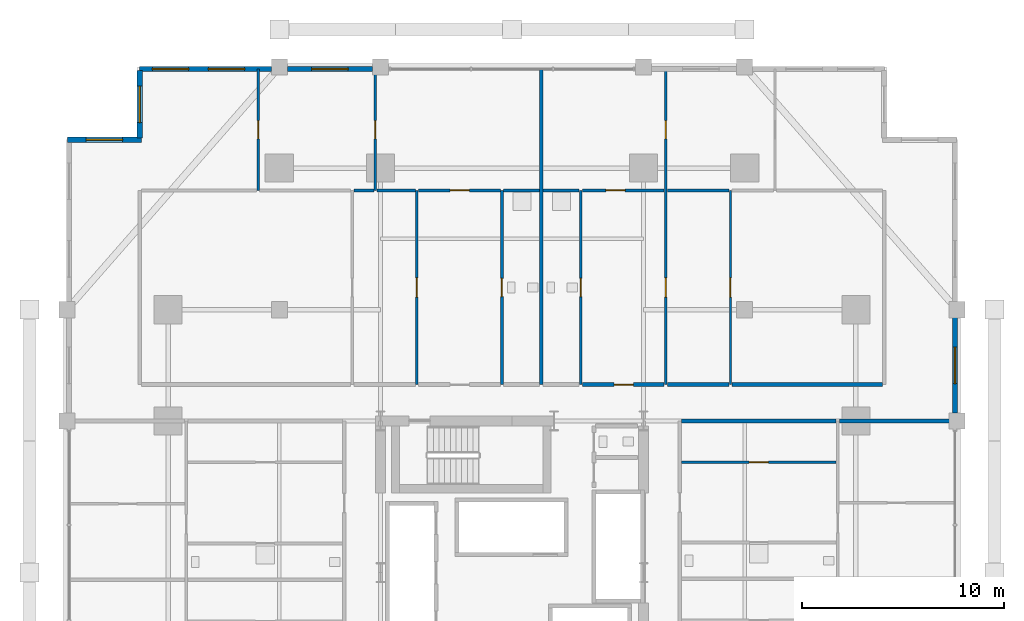
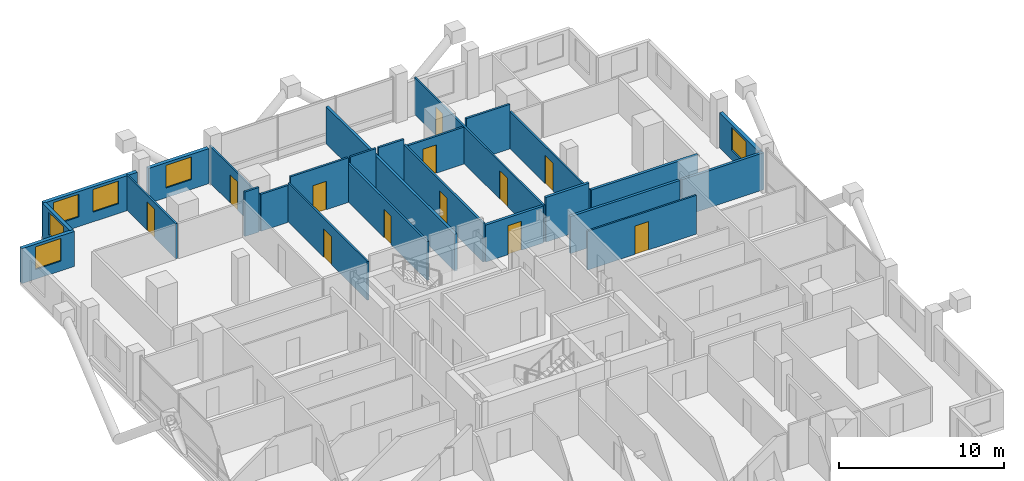
# One storey, part 21 of 24: 26 walls, 12 doors, 6 windows, 18 openings.
"""IFC4 building model written with IfcOpenShell, lengths in metres."""

from ifc_helpers import new_model, si_unit, direction, frame, frame_2d, origin, place, context, subcontext, project, spatial, rectangle, extrude, material, layer, layer_set, type_object, element, fill, save


model = new_model("IFC4")

# Units and contexts
model_context = context("Model", 3, precision=1e-05, world=origin(), true_north=direction((0.0, 1.0)))
body_context = subcontext(model_context, "Body", "Model", "MODEL_VIEW")
ifc_project = project(units=[si_unit("LENGTHUNIT", "METRE"), si_unit("AREAUNIT", "SQUARE_METRE"), si_unit("VOLUMEUNIT", "CUBIC_METRE"), si_unit("PLANEANGLEUNIT", "RADIAN"), si_unit("MASSUNIT", "GRAM", prefix="KILO")], contexts=[model_context])

# Site, building, storey
site_placement = place(None, origin())
site = spatial("IfcSite", under=ifc_project, at=site_placement, CompositionType="ELEMENT")
building_placement = place(site_placement, origin())
building = spatial("IfcBuilding", under=site, at=building_placement, Name="Barlavira Tower and Art Museum", CompositionType="ELEMENT")
storey_placement = place(building_placement, frame((0.0, 0.0, 90.0)))
storey = spatial("IfcBuildingStorey", under=building, at=storey_placement, Name="L22", CompositionType="ELEMENT", Elevation=90.0)

# Wall, opening, door
ifc_material_1 = material(Name="Gypsum acoustic stud partition", Category="gypsum")
ifc_layer_1 = layer(ifc_material_1, 0.1201171875, Name="Gypsum acoustic stud partition")
ifc_layer_set_1 = layer_set([ifc_layer_1], Name="Gypsum acoustic stud partition")
wall_type_1 = type_object("IfcWallType", Name="Apartment Internal Acoustic Partition 120", PredefinedType="PARTITIONING", material=ifc_layer_set_1)
wall_1_placement = place(storey_placement, frame((-12.550048828125, 18.89990234375, 0.0), z_axis=(0.0, 0.0, 1.0), x_axis=(0.0, 1.0, 0.0)))
wall_1 = element("IfcWall", 1, at=wall_1_placement, inside=storey, type_object=wall_type_1, Name="L22 Partition Wall 7", PredefinedType="PARTITIONING", context=body_context, shape_type="SweptSolid", body=[
    extrude(rectangle(XDim=6.0, YDim=0.1201171875, at=frame_2d((3.0, 0.0))), origin(), (0.0, 0.0, 1.0), 2.590087890625),
])
opening_1_placement = place(wall_1_placement, frame((2.550048828125, 0.0, 0.0)))
opening_1 = element("IfcOpeningElement", 2, at=opening_1_placement, cuts=wall_1, Name="Opening D-01", PredefinedType="OPENING", context=body_context, shape_type="SweptSolid", body=[
    extrude(rectangle(XDim=0.89990234375, YDim=2.10009765625, at=frame_2d((0.449951171875, 1.050048828125))), frame((0.0, 0.070068359375, 0.0), z_axis=(0.0, -1.0, 0.0), x_axis=(1.0, 0.0, 0.0)), (0.0, 0.0, 1.0), 0.14013671875),
])
ifc_material_2 = material(Name="Engineered coastal hardwood", Category="wood")
door_type_1 = type_object("IfcDoorType", Name="Internal Bedroom Timber Flush Door 900x2100", OperationType="NOTDEFINED", PredefinedType="DOOR", material=ifc_material_2)
door_1_placement = place(opening_1_placement, origin())
door_1 = element("IfcDoor", 3, at=door_1_placement, inside=storey, type_object=door_type_1, Name="Apartment N1 Bedroom 2 Door", OperationType="SINGLE_SWING_RIGHT", OverallHeight=2.10009765625, OverallWidth=0.89990234375, PredefinedType="DOOR", context=body_context, shape_type="SweptSolid", body=[
    extrude(rectangle(XDim=0.89990234375, YDim=2.10009765625, at=frame_2d((0.449951171875, 1.050048828125))), frame((0.0, 0.02490234375, 0.0), z_axis=(0.0, -1.0, 0.0), x_axis=(1.0, 0.0, 0.0)), (0.0, 0.0, 1.0), 0.050048828125),
])
fill(opening_1, door_1)

wall_2_placement = place(storey_placement, frame((-6.75, 18.89990234375, 0.0), z_axis=(0.0, 0.0, 1.0), x_axis=(0.0, 1.0, 0.0)))
wall_2 = element("IfcWall", 4, at=wall_2_placement, inside=storey, type_object=wall_type_1, Name="L22 Partition Wall 12", PredefinedType="PARTITIONING", context=body_context, shape_type="SweptSolid", body=[
    extrude(rectangle(XDim=6.0, YDim=0.1201171875, at=frame_2d((3.0, 0.0))), origin(), (0.0, 0.0, 1.0), 2.736083984375),
])
opening_2_placement = place(wall_2_placement, frame((2.550048828125, 0.0, 0.0)))
opening_2 = element("IfcOpeningElement", 5, at=opening_2_placement, cuts=wall_2, Name="Opening D-01", PredefinedType="OPENING", context=body_context, shape_type="SweptSolid", body=[
    extrude(rectangle(XDim=0.89990234375, YDim=2.10009765625, at=frame_2d((0.449951171875, 1.050048828125))), frame((0.0, 0.070068359375, 0.0), z_axis=(0.0, -1.0, 0.0), x_axis=(1.0, 0.0, 0.0)), (0.0, 0.0, 1.0), 0.14013671875),
])
door_2_placement = place(opening_2_placement, origin())
door_2 = element("IfcDoor", 6, at=door_2_placement, inside=storey, type_object=door_type_1, Name="Apartment N1 Bedroom 1 Door", OperationType="SINGLE_SWING_LEFT", OverallHeight=2.10009765625, OverallWidth=0.89990234375, PredefinedType="DOOR", context=body_context, shape_type="SweptSolid", body=[
    extrude(rectangle(XDim=0.89990234375, YDim=2.10009765625, at=frame_2d((0.449951171875, 1.050048828125))), frame((0.0, 0.02490234375, 0.0), z_axis=(0.0, -1.0, 0.0), x_axis=(1.0, 0.0, 0.0)), (0.0, 0.0, 1.0), 0.050048828125),
])
fill(opening_2, door_2)

wall_3_placement = place(storey_placement, frame((-4.699951171875, 9.300048828125, 0.0), z_axis=(0.0, 0.0, 1.0), x_axis=(0.0, 1.0, 0.0)))
wall_3 = element("IfcWall", 7, at=wall_3_placement, inside=storey, type_object=wall_type_1, Name="L22 Partition Wall 13", PredefinedType="PARTITIONING", context=body_context, shape_type="SweptSolid", body=[
    extrude(rectangle(XDim=9.599853515625, YDim=0.1201171875, at=frame_2d((4.7998046875, 0.0))), origin(), (0.0, 0.0, 1.0), 2.867919921875),
])
opening_3_placement = place(wall_3_placement, frame((4.324951171875, 0.0, 0.0)))
opening_3 = element("IfcOpeningElement", 8, at=opening_3_placement, cuts=wall_3, Name="Opening D-02", PredefinedType="OPENING", context=body_context, shape_type="SweptSolid", body=[
    extrude(rectangle(XDim=0.949951171875, YDim=2.10009765625, at=frame_2d((0.47509765625, 1.050048828125))), frame((0.0, 0.070068359375, 0.0), z_axis=(0.0, -1.0, 0.0), x_axis=(1.0, 0.0, 0.0)), (0.0, 0.0, 1.0), 0.14013671875),
])
door_type_2 = type_object("IfcDoorType", Name="Living and Salon Glazed-Leaf Door 950x2100", OperationType="NOTDEFINED", PredefinedType="DOOR", material=ifc_material_2)
door_3_placement = place(opening_3_placement, origin())
door_3 = element("IfcDoor", 9, at=door_3_placement, inside=storey, type_object=door_type_2, Name="Apartment N1 Kitchen Door", OperationType="SINGLE_SWING_RIGHT", OverallHeight=2.10009765625, OverallWidth=0.949951171875, PredefinedType="DOOR", context=body_context, shape_type="SweptSolid", body=[
    extrude(rectangle(XDim=0.949951171875, YDim=2.10009765625, at=frame_2d((0.47509765625, 1.050048828125))), frame((0.0, 0.02490234375, 0.0), z_axis=(0.0, -1.0, 0.0), x_axis=(1.0, 0.0, 0.0)), (0.0, 0.0, 1.0), 0.050048828125),
])
fill(opening_3, door_3)

# Wall, openings, doors
wall_4_placement = place(storey_placement, frame((7.60009765625, 9.300048828125, 0.0), z_axis=(0.0, 0.0, 1.0), x_axis=(0.0, 1.0, 0.0)))
wall_4 = element("IfcWall", 10, at=wall_4_placement, inside=storey, type_object=wall_type_1, Name="L22 Partition Wall 22", PredefinedType="PARTITIONING", context=body_context, shape_type="SweptSolid", body=[
    extrude(rectangle(XDim=15.599853515625, YDim=0.1201171875, at=frame_2d((7.7998046875, 0.0))), origin(), (0.0, 0.0, 1.0), 2.736083984375),
])
opening_4_placement = place(wall_4_placement, frame((4.324951171875, 0.0, 0.0)))
opening_4 = element("IfcOpeningElement", 11, at=opening_4_placement, cuts=wall_4, Name="Opening D-02", PredefinedType="OPENING", context=body_context, shape_type="SweptSolid", body=[
    extrude(rectangle(XDim=0.949951171875, YDim=2.10009765625, at=frame_2d((0.47509765625, 1.050048828125))), frame((0.0, 0.070068359375, 0.0), z_axis=(0.0, -1.0, 0.0), x_axis=(1.0, 0.0, 0.0)), (0.0, 0.0, 1.0), 0.14013671875),
])
opening_5_placement = place(wall_4_placement, frame((12.14990234375, 0.0, 0.0)))
opening_5 = element("IfcOpeningElement", 12, at=opening_5_placement, cuts=wall_4, Name="Opening D-01", PredefinedType="OPENING", context=body_context, shape_type="SweptSolid", body=[
    extrude(rectangle(XDim=0.89990234375, YDim=2.10009765625, at=frame_2d((0.449951171875, 1.050048828125))), frame((0.0, 0.070068359375, 0.0), z_axis=(0.0, -1.0, 0.0), x_axis=(1.0, 0.0, 0.0)), (0.0, 0.0, 1.0), 0.14013671875),
])
door_4_placement = place(opening_5_placement, origin())
door_4 = element("IfcDoor", 13, at=door_4_placement, inside=storey, type_object=door_type_1, Name="Apartment N2 Bedroom 1 Door", OperationType="SINGLE_SWING_RIGHT", OverallHeight=2.10009765625, OverallWidth=0.89990234375, PredefinedType="DOOR", context=body_context, shape_type="SweptSolid", body=[
    extrude(rectangle(XDim=0.89990234375, YDim=2.10009765625, at=frame_2d((0.449951171875, 1.050048828125))), frame((0.0, 0.02490234375, 0.0), z_axis=(0.0, -1.0, 0.0), x_axis=(1.0, 0.0, 0.0)), (0.0, 0.0, 1.0), 0.050048828125),
])
fill(opening_5, door_4)
door_5_placement = place(opening_4_placement, origin())
door_5 = element("IfcDoor", 14, at=door_5_placement, inside=storey, type_object=door_type_2, Name="Apartment N2 Kitchen Door", OperationType="SINGLE_SWING_LEFT", OverallHeight=2.10009765625, OverallWidth=0.949951171875, PredefinedType="DOOR", context=body_context, shape_type="SweptSolid", body=[
    extrude(rectangle(XDim=0.949951171875, YDim=2.10009765625, at=frame_2d((0.47509765625, 1.050048828125))), frame((0.0, 0.02490234375, 0.0), z_axis=(0.0, -1.0, 0.0), x_axis=(1.0, 0.0, 0.0)), (0.0, 0.0, 1.0), 0.050048828125),
])
fill(opening_4, door_5)

# Wall, opening, door
wall_5_placement = place(storey_placement, frame((10.800048828125, 9.300048828125, 0.0), z_axis=(0.0, 0.0, 1.0), x_axis=(0.0, 1.0, 0.0)))
wall_5 = element("IfcWall", 15, at=wall_5_placement, inside=storey, type_object=wall_type_1, Name="L22 Partition Wall 26", PredefinedType="PARTITIONING", context=body_context, shape_type="SweptSolid", body=[
    extrude(rectangle(XDim=9.599853515625, YDim=0.1201171875, at=frame_2d((4.7998046875, 0.0))), origin(), (0.0, 0.0, 1.0), 2.736083984375),
])
opening_6_placement = place(wall_5_placement, frame((4.324951171875, 0.0, 0.0)))
opening_6 = element("IfcOpeningElement", 16, at=opening_6_placement, cuts=wall_5, Name="Opening D-02", PredefinedType="OPENING", context=body_context, shape_type="SweptSolid", body=[
    extrude(rectangle(XDim=0.949951171875, YDim=2.10009765625, at=frame_2d((0.47509765625, 1.050048828125))), frame((0.0, 0.070068359375, 0.0), z_axis=(0.0, -1.0, 0.0), x_axis=(1.0, 0.0, 0.0)), (0.0, 0.0, 1.0), 0.14013671875),
])
door_6_placement = place(opening_6_placement, origin())
door_6 = element("IfcDoor", 17, at=door_6_placement, inside=storey, type_object=door_type_2, Name="Apartment N2 Dining Salon Door", OperationType="SINGLE_SWING_RIGHT", OverallHeight=2.10009765625, OverallWidth=0.949951171875, PredefinedType="DOOR", context=body_context, shape_type="SweptSolid", body=[
    extrude(rectangle(XDim=0.949951171875, YDim=2.10009765625, at=frame_2d((0.47509765625, 1.050048828125))), frame((0.0, 0.02490234375, 0.0), z_axis=(0.0, -1.0, 0.0), x_axis=(1.0, 0.0, 0.0)), (0.0, 0.0, 1.0), 0.050048828125),
])
fill(opening_6, door_6)

wall_6_placement = place(storey_placement, frame((8.3798828125, 5.449951171875, 0.0), z_axis=(0.0, 0.0, 1.0), x_axis=(1.0, 0.0, 0.0)))
wall_6 = element("IfcWall", 18, at=wall_6_placement, inside=storey, type_object=wall_type_1, Name="L22 Partition Wall 77", PredefinedType="PARTITIONING", context=body_context, shape_type="SweptSolid", body=[
    extrude(rectangle(XDim=7.64013671875, YDim=0.1201171875, at=frame_2d((3.820068359375, 0.0))), origin(), (0.0, 0.0, 1.0), 2.867919921875),
])
opening_7_placement = place(wall_6_placement, frame((3.344970703125, 0.0, 0.0)))
opening_7 = element("IfcOpeningElement", 19, at=opening_7_placement, cuts=wall_6, Name="Opening D-02", PredefinedType="OPENING", context=body_context, shape_type="SweptSolid", body=[
    extrude(rectangle(XDim=0.949951171875, YDim=2.10009765625, at=frame_2d((0.47509765625, 1.050048828125))), frame((0.0, 0.070068359375, 0.0), z_axis=(0.0, -1.0, 0.0), x_axis=(1.0, 0.0, 0.0)), (0.0, 0.0, 1.0), 0.14013671875),
])
door_7_placement = place(opening_7_placement, origin())
door_7 = element("IfcDoor", 20, at=door_7_placement, inside=storey, type_object=door_type_2, Name="Apartment E2 Kitchen Door", OperationType="SINGLE_SWING_LEFT", OverallHeight=2.10009765625, OverallWidth=0.949951171875, PredefinedType="DOOR", context=body_context, shape_type="SweptSolid", body=[
    extrude(rectangle(XDim=0.949951171875, YDim=2.10009765625, at=frame_2d((0.47509765625, 1.050048828125))), frame((0.0, 0.02490234375, 0.0), z_axis=(0.0, -1.0, 0.0), x_axis=(1.0, 0.0, 0.0)), (0.0, 0.0, 1.0), 0.050048828125),
])
fill(opening_7, door_7)

# Walls
ifc_layer_2 = layer(ifc_material_1, 0.179931640625, Name="Gypsum acoustic stud partition")
ifc_layer_set_2 = layer_set([ifc_layer_2], Name="Gypsum acoustic stud partition")
wall_type_2 = type_object("IfcWallType", Name="Inter-Tenancy Party Partition Wall 180", PredefinedType="PARTITIONING", material=ifc_layer_set_2)
wall_7_placement = place(storey_placement, frame((1.449951171875, 9.300048828125, 0.0), z_axis=(0.0, 0.0, 1.0), x_axis=(0.0, 1.0, 0.0)))
element("IfcWall", 21, at=wall_7_placement, inside=storey, type_object=wall_type_2, Name="L22 Partition Wall 18", PredefinedType="PARTITIONING", context=body_context, shape_type="SweptSolid", body=[
    extrude(rectangle(XDim=15.599853515625, YDim=0.179931640625, at=frame_2d((7.7998046875, 0.0))), origin(), (0.0, 0.0, 1.0), 2.736083984375),
])
wall_8_placement = place(storey_placement, frame((8.3798828125, 7.5, 0.0), z_axis=(0.0, 0.0, 1.0), x_axis=(1.0, 0.0, 0.0)))
element("IfcWall", 22, at=wall_8_placement, inside=storey, type_object=wall_type_2, Name="L22 Partition Wall 82", PredefinedType="PARTITIONING", context=body_context, shape_type="SweptSolid", body=[
    extrude(rectangle(XDim=7.64013671875, YDim=0.179931640625, at=frame_2d((3.820068359375, 0.0))), origin(), (0.0, 0.0, 1.0), 2.736083984375),
])
wall_9_placement = place(storey_placement, frame((16.179931640625, 7.5, 0.0), z_axis=(0.0, 0.0, 1.0), x_axis=(1.0, 0.0, 0.0)))
element("IfcWall", 23, at=wall_9_placement, inside=storey, type_object=wall_type_2, Name="L22 Partition Wall 83", PredefinedType="PARTITIONING", context=body_context, shape_type="SweptSolid", body=[
    extrude(rectangle(XDim=5.719970703125, YDim=0.179931640625, at=frame_2d((2.85986328125, 0.0))), origin(), (0.0, 0.0, 1.0), 2.736083984375),
])

# Wall, opening, door
wall_10_placement = place(storey_placement, frame((3.47998046875, 9.300048828125, 0.0), z_axis=(0.0, 0.0, 1.0), x_axis=(1.0, 0.0, 0.0)))
wall_10 = element("IfcWall", 24, at=wall_10_placement, inside=storey, type_object=wall_type_2, Name="L22 Partition Wall 89", PredefinedType="PARTITIONING", context=body_context, shape_type="SweptSolid", body=[
    extrude(rectangle(XDim=4.0400390625, YDim=0.179931640625, at=frame_2d((2.02001953125, 0.0))), origin(), (0.0, 0.0, 1.0), 2.736083984375),
])
opening_8_placement = place(wall_10_placement, frame((1.56494140625, 0.0, 0.0)))
opening_8 = element("IfcOpeningElement", 25, at=opening_8_placement, cuts=wall_10, Name="Opening FD-60", PredefinedType="OPENING", context=body_context, shape_type="SweptSolid", body=[
    extrude(rectangle(XDim=0.949951171875, YDim=2.14990234375, at=frame_2d((0.47509765625, 1.074951171875))), frame((0.0, 0.10009765625, 0.0), z_axis=(0.0, -1.0, 0.0), x_axis=(1.0, 0.0, 0.0)), (0.0, 0.0, 1.0), 0.199951171875),
])
ifc_material_3 = material(Name="Brushed stainless steel", Category="steel")
door_type_3 = type_object("IfcDoorType", Name="Apartment Entrance and Riser Fire Door 950x2150 FD60S", OperationType="NOTDEFINED", PredefinedType="DOOR", material=ifc_material_3)
door_8_placement = place(opening_8_placement, origin())
door_8 = element("IfcDoor", 26, at=door_8_placement, inside=storey, type_object=door_type_3, Name="Apartment Entrance Hall N2 Door", OperationType="SINGLE_SWING_RIGHT", OverallHeight=2.14990234375, OverallWidth=0.949951171875, PredefinedType="DOOR", context=body_context, shape_type="SweptSolid", body=[
    extrude(rectangle(XDim=0.949951171875, YDim=2.14990234375, at=frame_2d((0.47509765625, 1.074951171875))), frame((0.0, 0.02490234375, 0.0), z_axis=(0.0, -1.0, 0.0), x_axis=(1.0, 0.0, 0.0)), (0.0, 0.0, 1.0), 0.050048828125),
])
fill(opening_8, door_8)

# Walls
wall_11_placement = place(storey_placement, frame((7.679931640625, 9.300048828125, 0.0), z_axis=(0.0, 0.0, 1.0), x_axis=(1.0, 0.0, 0.0)))
element("IfcWall", 27, at=wall_11_placement, inside=storey, type_object=wall_type_2, Name="L22 Partition Wall 90", PredefinedType="PARTITIONING", context=body_context, shape_type="SweptSolid", body=[
    extrude(rectangle(XDim=3.0400390625, YDim=0.179931640625, at=frame_2d((1.52001953125, 0.0))), origin(), (0.0, 0.0, 1.0), 3.300048828125),
])
wall_12_placement = place(storey_placement, frame((10.8798828125, 9.300048828125, 0.0), z_axis=(0.0, 0.0, 1.0), x_axis=(1.0, 0.0, 0.0)))
element("IfcWall", 28, at=wall_12_placement, inside=storey, type_object=wall_type_2, Name="L22 Partition Wall 91", PredefinedType="PARTITIONING", context=body_context, shape_type="SweptSolid", body=[
    extrude(rectangle(XDim=7.440185546875, YDim=0.179931640625, at=frame_2d((3.72021484375, 0.0))), origin(), (0.0, 0.0, 1.0), 2.736083984375),
])

# Wall, opening, door
ifc_layer_3 = layer(ifc_material_1, 0.139892578125, Name="Gypsum acoustic stud partition")
ifc_layer_set_3 = layer_set([ifc_layer_3], Name="Gypsum acoustic stud partition")
wall_type_3 = type_object("IfcWallType", Name="Moisture-Resistant Bathroom Partition 140", PredefinedType="PARTITIONING", material=ifc_layer_set_3)
wall_13_placement = place(storey_placement, frame((-0.5, 9.300048828125, 0.0), z_axis=(0.0, 0.0, 1.0), x_axis=(0.0, 1.0, 0.0)))
wall_13 = element("IfcWall", 29, at=wall_13_placement, inside=storey, type_object=wall_type_3, Name="L22 Partition Wall 16", PredefinedType="PARTITIONING", context=body_context, shape_type="SweptSolid", body=[
    extrude(rectangle(XDim=9.599853515625, YDim=0.139892578125, at=frame_2d((4.7998046875, 0.0))), origin(), (0.0, 0.0, 1.0), 2.867919921875),
])
opening_9_placement = place(wall_13_placement, frame((4.35009765625, 0.0, 0.0)))
opening_9 = element("IfcOpeningElement", 30, at=opening_9_placement, cuts=wall_13, Name="Opening D-WC", PredefinedType="OPENING", context=body_context, shape_type="SweptSolid", body=[
    extrude(rectangle(XDim=0.89990234375, YDim=2.10009765625, at=frame_2d((0.449951171875, 1.050048828125))), frame((0.0, 0.080078125, 0.0), z_axis=(0.0, -1.0, 0.0), x_axis=(1.0, 0.0, 0.0)), (0.0, 0.0, 1.0), 0.159912109375),
])
door_type_4 = type_object("IfcDoorType", Name="Accessible Bathroom Flush Door 900x2100", OperationType="NOTDEFINED", PredefinedType="DOOR", material=ifc_material_2)
door_9_placement = place(opening_9_placement, origin())
door_9 = element("IfcDoor", 31, at=door_9_placement, inside=storey, type_object=door_type_4, Name="Apartment N1 Hall Bathroom Door", OperationType="SINGLE_SWING_RIGHT", OverallHeight=2.10009765625, OverallWidth=0.89990234375, PredefinedType="DOOR", context=body_context, shape_type="SweptSolid", body=[
    extrude(rectangle(XDim=0.89990234375, YDim=2.10009765625, at=frame_2d((0.449951171875, 1.050048828125))), frame((0.0, 0.02490234375, 0.0), z_axis=(0.0, -1.0, 0.0), x_axis=(1.0, 0.0, 0.0)), (0.0, 0.0, 1.0), 0.050048828125),
])
fill(opening_9, door_9)

wall_14_placement = place(storey_placement, frame((3.39990234375, 9.300048828125, 0.0), z_axis=(0.0, 0.0, 1.0), x_axis=(0.0, 1.0, 0.0)))
wall_14 = element("IfcWall", 32, at=wall_14_placement, inside=storey, type_object=wall_type_3, Name="L22 Partition Wall 19", PredefinedType="PARTITIONING", context=body_context, shape_type="SweptSolid", body=[
    extrude(rectangle(XDim=9.599853515625, YDim=0.139892578125, at=frame_2d((4.7998046875, 0.0))), origin(), (0.0, 0.0, 1.0), 2.867919921875),
])
opening_10_placement = place(wall_14_placement, frame((4.35009765625, 0.0, 0.0)))
opening_10 = element("IfcOpeningElement", 33, at=opening_10_placement, cuts=wall_14, Name="Opening D-WC", PredefinedType="OPENING", context=body_context, shape_type="SweptSolid", body=[
    extrude(rectangle(XDim=0.89990234375, YDim=2.10009765625, at=frame_2d((0.449951171875, 1.050048828125))), frame((0.0, 0.080078125, 0.0), z_axis=(0.0, -1.0, 0.0), x_axis=(1.0, 0.0, 0.0)), (0.0, 0.0, 1.0), 0.159912109375),
])
door_10_placement = place(opening_10_placement, origin())
door_10 = element("IfcDoor", 34, at=door_10_placement, inside=storey, type_object=door_type_4, Name="Apartment N2 Hall Bathroom Door", OperationType="SINGLE_SWING_LEFT", OverallHeight=2.10009765625, OverallWidth=0.89990234375, PredefinedType="DOOR", context=body_context, shape_type="SweptSolid", body=[
    extrude(rectangle(XDim=0.89990234375, YDim=2.10009765625, at=frame_2d((0.449951171875, 1.050048828125))), frame((0.0, 0.02490234375, 0.0), z_axis=(0.0, -1.0, 0.0), x_axis=(1.0, 0.0, 0.0)), (0.0, 0.0, 1.0), 0.050048828125),
])
fill(opening_10, door_10)

# Walls
wall_15_placement = place(storey_placement, frame((-7.820068359375, 18.89990234375, 0.0), z_axis=(0.0, 0.0, 1.0), x_axis=(1.0, 0.0, 0.0)))
element("IfcWall", 35, at=wall_15_placement, inside=storey, type_object=wall_type_3, Name="L22 Partition Wall 94", PredefinedType="PARTITIONING", context=body_context, shape_type="SweptSolid", body=[
    extrude(rectangle(XDim=0.989990234375, YDim=0.139892578125, at=frame_2d((0.4951171875, 0.0))), origin(), (0.0, 0.0, 1.0), 3.300048828125),
])
wall_16_placement = place(storey_placement, frame((-6.669921875, 18.89990234375, 0.0), z_axis=(0.0, 0.0, 1.0), x_axis=(1.0, 0.0, 0.0)))
element("IfcWall", 36, at=wall_16_placement, inside=storey, type_object=wall_type_3, Name="L22 Partition Wall 95", PredefinedType="PARTITIONING", context=body_context, shape_type="SweptSolid", body=[
    extrude(rectangle(XDim=1.889892578125, YDim=0.139892578125, at=frame_2d((0.94482421875, 0.0))), origin(), (0.0, 0.0, 1.0), 2.736083984375),
])

# Wall, opening, door
wall_17_placement = place(storey_placement, frame((-4.6201171875, 18.89990234375, 0.0), z_axis=(0.0, 0.0, 1.0), x_axis=(1.0, 0.0, 0.0)))
wall_17 = element("IfcWall", 37, at=wall_17_placement, inside=storey, type_object=wall_type_3, Name="L22 Partition Wall 96", PredefinedType="PARTITIONING", context=body_context, shape_type="SweptSolid", body=[
    extrude(rectangle(XDim=4.0400390625, YDim=0.139892578125, at=frame_2d((2.02001953125, 0.0))), origin(), (0.0, 0.0, 1.0), 3.300048828125),
])
opening_11_placement = place(wall_17_placement, frame((1.56494140625, 0.0, 0.0)))
opening_11 = element("IfcOpeningElement", 38, at=opening_11_placement, cuts=wall_17, Name="Opening D-02", PredefinedType="OPENING", context=body_context, shape_type="SweptSolid", body=[
    extrude(rectangle(XDim=0.949951171875, YDim=2.10009765625, at=frame_2d((0.47509765625, 1.050048828125))), frame((0.0, 0.080078125, 0.0), z_axis=(0.0, -1.0, 0.0), x_axis=(1.0, 0.0, 0.0)), (0.0, 0.0, 1.0), 0.159912109375),
])
door_11_placement = place(opening_11_placement, origin())
door_11 = element("IfcDoor", 39, at=door_11_placement, inside=storey, type_object=door_type_2, Name="Apartment N1 Living Lounge Door", OperationType="SINGLE_SWING_RIGHT", OverallHeight=2.10009765625, OverallWidth=0.949951171875, PredefinedType="DOOR", context=body_context, shape_type="SweptSolid", body=[
    extrude(rectangle(XDim=0.949951171875, YDim=2.10009765625, at=frame_2d((0.47509765625, 1.050048828125))), frame((0.0, 0.02490234375, 0.0), z_axis=(0.0, -1.0, 0.0), x_axis=(1.0, 0.0, 0.0)), (0.0, 0.0, 1.0), 0.050048828125),
])
fill(opening_11, door_11)

# Walls
for number, where, z_axis, x_axis, name in (
    (40, (-0.419921875, 18.89990234375, 0.0), (0.0, 0.0, 1.0), (1.0, 0.0, 0.0), "L22 Partition Wall 97"),
    (41, (1.530029296875, 18.89990234375, 0.0), (0.0, 0.0, 1.0), (1.0, 0.0, 0.0), "L22 Partition Wall 98"),
):
    element("IfcWall", number, at=place(storey_placement, frame(where, z_axis=z_axis, x_axis=x_axis)), inside=storey, type_object=wall_type_3, Name=name, PredefinedType="PARTITIONING", context=body_context, shape_type="SweptSolid", body=[
        extrude(rectangle(XDim=1.7900390625, YDim=0.139892578125, at=frame_2d((0.89501953125, 0.0))), origin(), (0.0, 0.0, 1.0), 3.300048828125),
    ])

# Wall, opening, door
wall_18_placement = place(storey_placement, frame((3.47998046875, 18.89990234375, 0.0), z_axis=(0.0, 0.0, 1.0), x_axis=(1.0, 0.0, 0.0)))
wall_18 = element("IfcWall", 42, at=wall_18_placement, inside=storey, type_object=wall_type_3, Name="L22 Partition Wall 99", PredefinedType="PARTITIONING", context=body_context, shape_type="SweptSolid", body=[
    extrude(rectangle(XDim=4.0400390625, YDim=0.139892578125, at=frame_2d((2.02001953125, 0.0))), origin(), (0.0, 0.0, 1.0), 2.736083984375),
])
opening_12_placement = place(wall_18_placement, frame((1.156494140625, 0.0, 0.0)))
opening_12 = element("IfcOpeningElement", 43, at=opening_12_placement, cuts=wall_18, Name="Opening D-02", PredefinedType="OPENING", context=body_context, shape_type="SweptSolid", body=[
    extrude(rectangle(XDim=0.949951171875, YDim=2.10009765625, at=frame_2d((0.47509765625, 1.050048828125))), frame((0.0, 0.080078125, 0.0), z_axis=(0.0, -1.0, 0.0), x_axis=(1.0, 0.0, 0.0)), (0.0, 0.0, 1.0), 0.159912109375),
])
door_12_placement = place(opening_12_placement, origin())
door_12 = element("IfcDoor", 44, at=door_12_placement, inside=storey, type_object=door_type_2, Name="Apartment N2 Living Lounge Door", OperationType="SINGLE_SWING_LEFT", OverallHeight=2.10009765625, OverallWidth=0.949951171875, PredefinedType="DOOR", context=body_context, shape_type="SweptSolid", body=[
    extrude(rectangle(XDim=0.949951171875, YDim=2.10009765625, at=frame_2d((0.47509765625, 1.050048828125))), frame((0.0, 0.02490234375, 0.0), z_axis=(0.0, -1.0, 0.0), x_axis=(1.0, 0.0, 0.0)), (0.0, 0.0, 1.0), 0.050048828125),
])
fill(opening_12, door_12)

# Wall
wall_19_placement = place(storey_placement, frame((7.679931640625, 18.89990234375, 0.0), z_axis=(0.0, 0.0, 1.0), x_axis=(1.0, 0.0, 0.0)))
element("IfcWall", 45, at=wall_19_placement, inside=storey, type_object=wall_type_3, Name="L22 Partition Wall 100", PredefinedType="PARTITIONING", context=body_context, shape_type="SweptSolid", body=[
    extrude(rectangle(XDim=3.0400390625, YDim=0.139892578125, at=frame_2d((1.52001953125, 0.0))), origin(), (0.0, 0.0, 1.0), 3.300048828125),
])

# Wall, opening, window
ifc_material_4 = material(Name="Precast concrete C40", Category="concrete")
ifc_layer_4 = layer(ifc_material_4, 0.25, Name="Precast concrete C40")
ifc_layer_set_4 = layer_set([ifc_layer_4], Name="Precast concrete C40")
wall_type_4 = type_object("IfcWallType", Name="Notched Corner Spandrel Wall 250 Precast Concrete C40", PredefinedType="SOLIDWALL", material=ifc_layer_set_4)
wall_20_placement = place(storey_placement, frame((-6.89501953125, 24.89990234375, 0.0), z_axis=(0.0, 0.0, 1.0), x_axis=(-1.0, 0.0, 0.0)))
wall_20 = element("IfcWall", 46, at=wall_20_placement, inside=storey, type_object=wall_type_4, Name="L22 Coastal Facade Pier Wall CW1-L22-N-4", PredefinedType="SOLIDWALL", context=body_context, shape_type="SweptSolid", body=[
    extrude(rectangle(XDim=4.2099609375, YDim=0.25, at=frame_2d((2.10498046875, 0.0))), origin(), (0.0, 0.0, 1.0), 2.590087890625),
])
opening_13_placement = place(wall_20_placement, frame((1.205078125, 0.0, 0.719970703125)))
opening_13 = element("IfcOpeningElement", 47, at=opening_13_placement, cuts=wall_20, Name="Opening WN-01", PredefinedType="OPENING", context=body_context, shape_type="SweptSolid", body=[
    extrude(rectangle(XDim=1.800048828125, YDim=1.679931640625, at=frame_2d((0.89990234375, 0.83984375))), frame((0.0, 0.135009765625, 0.0), z_axis=(0.0, -1.0, 0.0), x_axis=(1.0, 0.0, 0.0)), (0.0, 0.0, 1.0), 0.27001953125),
])
ifc_material_5 = material(Name="Low-iron coastal laminated glass", Category="glass")
window_type = type_object("IfcWindowType", Name="Recessed Notch Corner Punch Window 1800x1680", PartitioningType="SINGLE_PANEL", PredefinedType="WINDOW", material=ifc_material_5)
window_1_placement = place(opening_13_placement, origin())
window_1 = element("IfcWindow", 48, at=window_1_placement, inside=storey, type_object=window_type, Name="L22 Punched Facade Window EWP-CW1-L22-N-4-1", OverallHeight=1.679931640625, OverallWidth=1.800048828125, PartitioningType="SINGLE_PANEL", PredefinedType="WINDOW", context=body_context, shape_type="SweptSolid", body=[
    extrude(rectangle(XDim=1.800048828125, YDim=1.679931640625, at=frame_2d((0.89990234375, 0.83984375))), frame((0.0, 0.030029296875, 0.0), z_axis=(0.0, -1.0, 0.0), x_axis=(1.0, 0.0, 0.0)), (0.0, 0.0, 1.0), 0.06005859375),
])
fill(opening_13, window_1)

# Wall, openings, windows
wall_21_placement = place(storey_placement, frame((-11.89501953125, 24.89990234375, 0.0), z_axis=(0.0, 0.0, 1.0), x_axis=(-1.0, 0.0, 0.0)))
wall_21 = element("IfcWall", 49, at=wall_21_placement, inside=storey, type_object=wall_type_4, Name="L22 Coastal Facade Pier Wall CW1-L22-N-5", PredefinedType="SOLIDWALL", context=body_context, shape_type="SweptSolid", body=[
    extrude(rectangle(XDim=6.530029296875, YDim=0.25, at=frame_2d((3.26513671875, 0.0))), origin(), (0.0, 0.0, 1.0), 2.590087890625),
])
opening_14_placement = place(wall_21_placement, frame((1.319091796875, 0.0, 0.719970703125)))
opening_14 = element("IfcOpeningElement", 50, at=opening_14_placement, cuts=wall_21, Name="Opening WN-01", PredefinedType="OPENING", context=body_context, shape_type="SweptSolid", body=[
    extrude(rectangle(XDim=1.800048828125, YDim=1.679931640625, at=frame_2d((0.89990234375, 0.83984375))), frame((0.0, 0.135009765625, 0.0), z_axis=(0.0, -1.0, 0.0), x_axis=(1.0, 0.0, 0.0)), (0.0, 0.0, 1.0), 0.27001953125),
])
opening_15_placement = place(wall_21_placement, frame((4.0859375, 0.0, 0.719970703125)))
opening_15 = element("IfcOpeningElement", 51, at=opening_15_placement, cuts=wall_21, Name="Opening WN-01", PredefinedType="OPENING", context=body_context, shape_type="SweptSolid", body=[
    extrude(rectangle(XDim=1.800048828125, YDim=1.679931640625, at=frame_2d((0.89990234375, 0.83984375))), frame((0.0, 0.135009765625, 0.0), z_axis=(0.0, -1.0, 0.0), x_axis=(1.0, 0.0, 0.0)), (0.0, 0.0, 1.0), 0.27001953125),
])
window_2_placement = place(opening_14_placement, origin())
window_2 = element("IfcWindow", 52, at=window_2_placement, inside=storey, type_object=window_type, Name="L22 Punched Facade Window EWP-CW1-L22-N-5-1", OverallHeight=1.679931640625, OverallWidth=1.800048828125, PartitioningType="SINGLE_PANEL", PredefinedType="WINDOW", context=body_context, shape_type="SweptSolid", body=[
    extrude(rectangle(XDim=1.800048828125, YDim=1.679931640625, at=frame_2d((0.89990234375, 0.83984375))), frame((0.0, 0.030029296875, 0.0), z_axis=(0.0, -1.0, 0.0), x_axis=(1.0, 0.0, 0.0)), (0.0, 0.0, 1.0), 0.06005859375),
])
fill(opening_14, window_2)
window_3_placement = place(opening_15_placement, origin())
window_3 = element("IfcWindow", 53, at=window_3_placement, inside=storey, type_object=window_type, Name="L22 Punched Facade Window EWP-CW1-L22-N-5-2", OverallHeight=1.679931640625, OverallWidth=1.800048828125, PartitioningType="SINGLE_PANEL", PredefinedType="WINDOW", context=body_context, shape_type="SweptSolid", body=[
    extrude(rectangle(XDim=1.800048828125, YDim=1.679931640625, at=frame_2d((0.89990234375, 0.83984375))), frame((0.0, 0.030029296875, 0.0), z_axis=(0.0, -1.0, 0.0), x_axis=(1.0, 0.0, 0.0)), (0.0, 0.0, 1.0), 0.06005859375),
])
fill(opening_15, window_3)

# Wall, opening, window
wall_22_placement = place(storey_placement, frame((21.89990234375, 7.89501953125, 0.0), z_axis=(0.0, 0.0, 1.0), x_axis=(0.0, 1.0, 0.0)))
wall_22 = element("IfcWall", 54, at=wall_22_placement, inside=storey, type_object=wall_type_4, Name="L22 Coastal Facade Pier Wall CW1-L22-E-4", PredefinedType="SOLIDWALL", context=body_context, shape_type="SweptSolid", body=[
    extrude(rectangle(XDim=4.7099609375, YDim=0.25, at=frame_2d((2.35498046875, 0.0))), origin(), (0.0, 0.0, 1.0), 2.590087890625),
])
opening_16_placement = place(wall_22_placement, frame((1.455078125, 0.0, 0.719970703125)))
opening_16 = element("IfcOpeningElement", 55, at=opening_16_placement, cuts=wall_22, Name="Opening WN-01", PredefinedType="OPENING", context=body_context, shape_type="SweptSolid", body=[
    extrude(rectangle(XDim=1.800048828125, YDim=1.679931640625, at=frame_2d((0.89990234375, 0.83984375))), frame((0.0, 0.135009765625, 0.0), z_axis=(0.0, -1.0, 0.0), x_axis=(1.0, 0.0, 0.0)), (0.0, 0.0, 1.0), 0.27001953125),
])
window_4_placement = place(opening_16_placement, origin())
window_4 = element("IfcWindow", 56, at=window_4_placement, inside=storey, type_object=window_type, Name="L22 Punched Facade Window EWP-CW1-L22-E-4-1", OverallHeight=1.679931640625, OverallWidth=1.800048828125, PartitioningType="SINGLE_PANEL", PredefinedType="WINDOW", context=body_context, shape_type="SweptSolid", body=[
    extrude(rectangle(XDim=1.800048828125, YDim=1.679931640625, at=frame_2d((0.89990234375, 0.83984375))), frame((0.0, 0.030029296875, 0.0), z_axis=(0.0, -1.0, 0.0), x_axis=(1.0, 0.0, 0.0)), (0.0, 0.0, 1.0), 0.06005859375),
])
fill(opening_16, window_4)

wall_23_placement = place(storey_placement, frame((-18.39990234375, 24.820068359375, 0.0), z_axis=(0.0, 0.0, 1.0), x_axis=(0.0, -1.0, 0.0)))
wall_23 = element("IfcWall", 57, at=wall_23_placement, inside=storey, type_object=wall_type_4, Name="L22 Notch Corner Wall NW1", PredefinedType="SOLIDWALL", context=body_context, shape_type="SweptSolid", body=[
    extrude(rectangle(XDim=3.340087890625, YDim=0.25, at=frame_2d((1.669921875, 0.0))), origin(), (0.0, 0.0, 1.0), 2.590087890625),
])
opening_17_placement = place(wall_23_placement, frame((0.77001953125, 0.0, 0.719970703125)))
opening_17 = element("IfcOpeningElement", 58, at=opening_17_placement, cuts=wall_23, Name="Opening WN-01", PredefinedType="OPENING", context=body_context, shape_type="SweptSolid", body=[
    extrude(rectangle(XDim=1.800048828125, YDim=1.679931640625, at=frame_2d((0.89990234375, 0.83984375))), frame((0.0, 0.135009765625, 0.0), z_axis=(0.0, -1.0, 0.0), x_axis=(1.0, 0.0, 0.0)), (0.0, 0.0, 1.0), 0.27001953125),
])
window_5_placement = place(opening_17_placement, origin())
window_5 = element("IfcWindow", 59, at=window_5_placement, inside=storey, type_object=window_type, Name="L22 Punched Facade Window EW-NTC-L22-NW1-1", OverallHeight=1.679931640625, OverallWidth=1.800048828125, PartitioningType="SINGLE_PANEL", PredefinedType="WINDOW", context=body_context, shape_type="SweptSolid", body=[
    extrude(rectangle(XDim=1.800048828125, YDim=1.679931640625, at=frame_2d((0.89990234375, 0.83984375))), frame((0.0, 0.030029296875, 0.0), z_axis=(0.0, -1.0, 0.0), x_axis=(1.0, 0.0, 0.0)), (0.0, 0.0, 1.0), 0.06005859375),
])
fill(opening_17, window_5)

wall_24_placement = place(storey_placement, frame((-18.320068359375, 21.39990234375, 0.0), z_axis=(0.0, 0.0, 1.0), x_axis=(-1.0, 0.0, 0.0)))
wall_24 = element("IfcWall", 60, at=wall_24_placement, inside=storey, type_object=wall_type_4, Name="L22 Notch Corner Wall NW2", PredefinedType="SOLIDWALL", context=body_context, shape_type="SweptSolid", body=[
    extrude(rectangle(XDim=3.659912109375, YDim=0.25, at=frame_2d((1.830078125, 0.0))), origin(), (0.0, 0.0, 1.0), 2.590087890625),
])
opening_18_placement = place(wall_24_placement, frame((0.929931640625, 0.0, 0.719970703125)))
opening_18 = element("IfcOpeningElement", 61, at=opening_18_placement, cuts=wall_24, Name="Opening WN-01", PredefinedType="OPENING", context=body_context, shape_type="SweptSolid", body=[
    extrude(rectangle(XDim=1.800048828125, YDim=1.679931640625, at=frame_2d((0.89990234375, 0.83984375))), frame((0.0, 0.135009765625, 0.0), z_axis=(0.0, -1.0, 0.0), x_axis=(1.0, 0.0, 0.0)), (0.0, 0.0, 1.0), 0.27001953125),
])
window_6_placement = place(opening_18_placement, origin())
window_6 = element("IfcWindow", 62, at=window_6_placement, inside=storey, type_object=window_type, Name="L22 Punched Facade Window EW-NTC-L22-NW2-1", OverallHeight=1.679931640625, OverallWidth=1.800048828125, PartitioningType="SINGLE_PANEL", PredefinedType="WINDOW", context=body_context, shape_type="SweptSolid", body=[
    extrude(rectangle(XDim=1.800048828125, YDim=1.679931640625, at=frame_2d((0.89990234375, 0.83984375))), frame((0.0, 0.030029296875, 0.0), z_axis=(0.0, -1.0, 0.0), x_axis=(1.0, 0.0, 0.0)), (0.0, 0.0, 1.0), 0.06005859375),
])
fill(opening_18, window_6)

save(model, "model.ifc")
